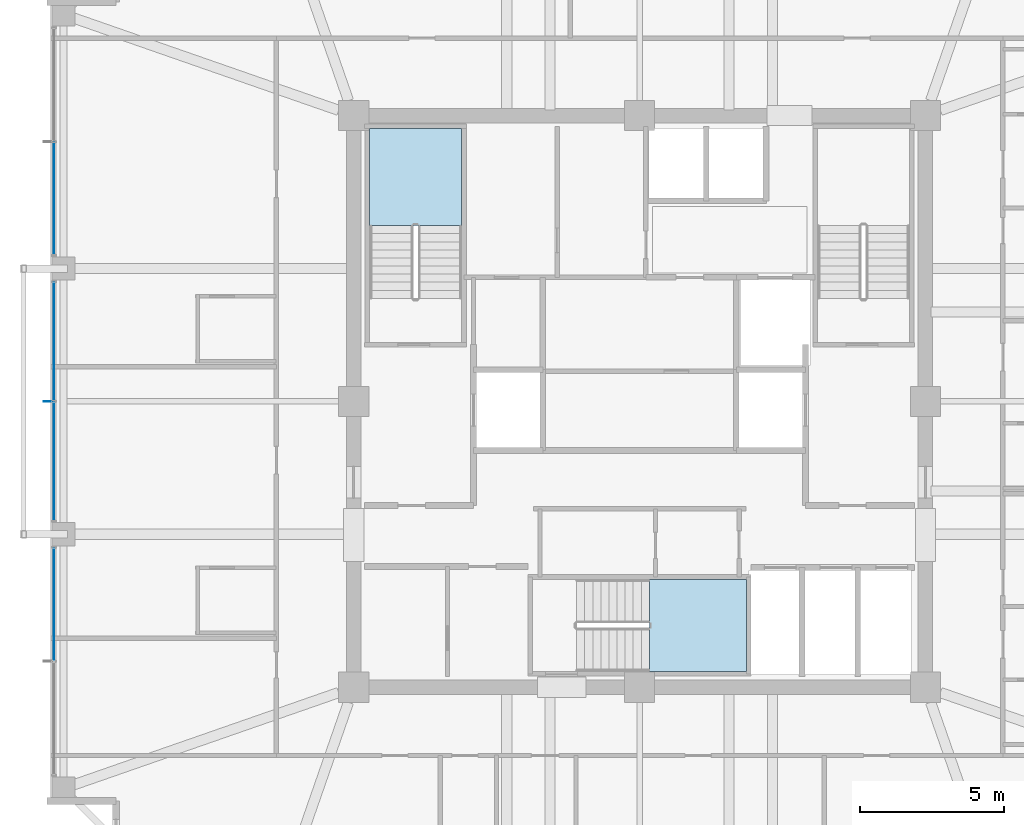
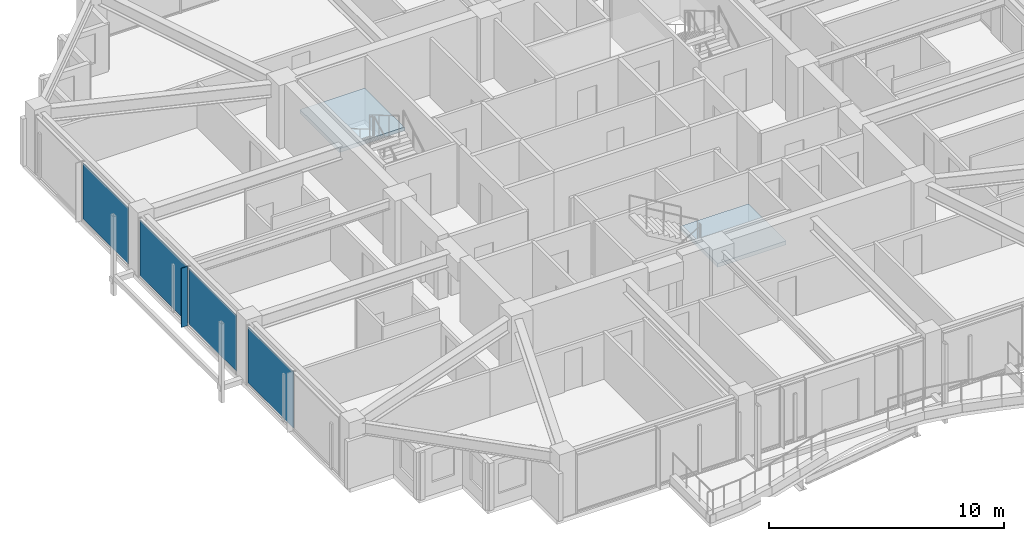
# One storey, part 27 of 38: 5 plates, 2 slabs, 5 elements without a shape of their own.
"""IFC4 building model written with IfcOpenShell, lengths in metres."""

import ifcopenshell
import ifcopenshell.guid

model = None  # the IFC model being written
_history = None  # IfcOwnerHistory: only IFC2X3 demands one
_inside = {}  # id of a spatial element -> (the spatial element, [elements in it])
_under = {}  # id of a project, library or spatial element -> (it, [spatial elements below it])
_declared = {}  # id of a project -> (the project, [libraries it declares])
_typed = {}  # id of a type object -> (the type object, [elements of that type])
_made_of = {}  # id of a material, layer set ... -> (it, [elements and type objects made of it])


def new_model(schema):
    """Start an empty IFC model of exactly this schema.

    Asked for "IFC4X3", IfcOpenShell would pick the latest addendum, in which some entities
    have other attributes; the version numbers below select the first issue.
    IFC2X3 requires an IfcOwnerHistory on every rooted entity: one is made here for all.
    """
    global model, _history
    if schema == "IFC4X3":
        model = ifcopenshell.file(schema_version=(4, 3, 0, 0))
    else:
        model = ifcopenshell.file(schema=schema)
    _inside.clear()
    _under.clear()
    _declared.clear()
    _typed.clear()
    _made_of.clear()
    _history = None
    if model.schema == "IFC2X3":
        org = make("IfcOrganization", Name="unknown")
        user = make(
            "IfcPersonAndOrganization",
            ThePerson=make("IfcPerson", FamilyName="unknown"),
            TheOrganization=org,
        )
        app = make(
            "IfcApplication",
            ApplicationDeveloper=org,
            Version="unknown",
            ApplicationFullName="unknown",
            ApplicationIdentifier="unknown",
        )
        _history = make(
            "IfcOwnerHistory",
            OwningUser=user,
            OwningApplication=app,
            ChangeAction="ADDED",
            CreationDate=0,
        )
    return model


def make(cls, **values):
    """One entity of the class cls with the attributes given. An attribute that is None is left unset."""
    return model.create_entity(
        cls, **{name: value for name, value in values.items() if value is not None}
    )


def rooted(cls, **values):
    """An entity with a GlobalId (a new one), such as an element, a storey or a relation."""
    return make(cls, GlobalId=ifcopenshell.guid.new(), OwnerHistory=_history, **values)


def si_unit(unit_type, name, prefix=None):
    """IfcSIUnit, for example si_unit("LENGTHUNIT", "METRE", prefix="MILLI")."""
    return make("IfcSIUnit", UnitType=unit_type, Prefix=prefix, Name=name)


def assignment(units):
    """IfcUnitAssignment: the units of a project."""
    return None if units is None else make("IfcUnitAssignment", Units=units)


def point(xyz):
    """IfcCartesianPoint."""
    return None if xyz is None else make("IfcCartesianPoint", Coordinates=xyz)


def direction(xyz):
    """IfcDirection."""
    return None if xyz is None else make("IfcDirection", DirectionRatios=xyz)


def frame(location, z_axis=None, x_axis=None):
    """IfcAxis2Placement3D, a coordinate frame: its origin and axes. An axis left out is left unset."""
    return make(
        "IfcAxis2Placement3D",
        Location=point(location),
        Axis=direction(z_axis),
        RefDirection=direction(x_axis),
    )


def frame_2d(location, x_axis=None):
    """IfcAxis2Placement2D, a coordinate frame in the plane: its origin and x axis."""
    return make(
        "IfcAxis2Placement2D", Location=point(location), RefDirection=direction(x_axis)
    )


def origin():
    """The frame at (0, 0, 0) with its axes left unset."""
    return frame((0.0, 0.0, 0.0))


def origin_2d():
    """The frame at (0, 0) in the plane with its x axis left unset."""
    return frame_2d((0.0, 0.0))


def place(relative_to, where):
    """IfcLocalPlacement: puts the frame where relative to a parent placement (None: the world)."""
    return make(
        "IfcLocalPlacement", PlacementRelTo=relative_to, RelativePlacement=where
    )


def context(
    kind, dimensions, precision=None, world=None, true_north=None, identifier=None
):
    """IfcGeometricRepresentationContext, for example the 3D "Model" context."""
    return make(
        "IfcGeometricRepresentationContext",
        ContextIdentifier=identifier,
        ContextType=kind,
        CoordinateSpaceDimension=dimensions,
        Precision=precision,
        WorldCoordinateSystem=world,
        TrueNorth=true_north,
    )


def subcontext(parent, identifier, kind, view, scale=None):
    """IfcGeometricRepresentationSubContext, for example "Body" below "Model"."""
    return make(
        "IfcGeometricRepresentationSubContext",
        ContextIdentifier=identifier,
        ContextType=kind,
        ParentContext=parent,
        TargetScale=scale,
        TargetView=view,
    )


def project(units=None, contexts=None):
    """IfcProject with its units and contexts."""
    return rooted(
        "IfcProject",
        Name="project",
        RepresentationContexts=contexts,
        UnitsInContext=assignment(units),
    )


def spatial(cls, under=None, at=None, **own):
    """A site, building, storey or space (cls), placed at a placement, below another one or the project."""
    s = rooted(cls, ObjectPlacement=at, **own)
    if under is not None:
        _under.setdefault(under.id(), (under, []))[1].append(s)
    return s


def polyline(points):
    """IfcPolyline through the points."""
    return make("IfcPolyline", Points=[point(p) for p in points])


def profile(cls, at=None, kind="AREA", **sizes):
    """A parametric profile (cls). Its sizes go by their IFC names, for example OverallWidth=200.0."""
    return make(cls, ProfileType=kind, Position=at, **sizes)


def rectangle(**sizes):
    """IfcRectangleProfileDef."""
    return profile("IfcRectangleProfileDef", **sizes)


def outline(outer, holes=None, kind="AREA"):
    """IfcArbitraryClosedProfileDef: a profile drawn as a closed curve; with holes, ...WithVoids."""
    if holes is None:
        return make("IfcArbitraryClosedProfileDef", ProfileType=kind, OuterCurve=outer)
    return make(
        "IfcArbitraryProfileDefWithVoids",
        ProfileType=kind,
        OuterCurve=outer,
        InnerCurves=holes,
    )


def extrude(swept, where, along, depth):
    """IfcExtrudedAreaSolid: the profile swept, set in the frame where, extruded along a direction by depth."""
    return make(
        "IfcExtrudedAreaSolid",
        SweptArea=swept,
        Position=where,
        ExtrudedDirection=direction(along),
        Depth=depth,
    )


def shape(context_of_items, identifier, shape_type, items):
    """IfcShapeRepresentation: the items that make up one representation, for example the "Body"."""
    return make(
        "IfcShapeRepresentation",
        ContextOfItems=context_of_items,
        RepresentationIdentifier=identifier,
        RepresentationType=shape_type,
        Items=items,
    )


def material(Name=None, Category=None):
    """IfcMaterial."""
    return make("IfcMaterial", Name=Name, Category=Category)


def layer(
    of_material, thickness, ventilated=None, Name=None, Category=None, Priority=None
):
    """IfcMaterialLayer: one layer of a wall or slab, of a material (None: an air gap)."""
    return make(
        "IfcMaterialLayer",
        Material=of_material,
        LayerThickness=thickness,
        IsVentilated=ventilated,
        Name=Name,
        Category=Category,
        Priority=Priority,
    )


def layer_set(layers, Name=None):
    """IfcMaterialLayerSet."""
    return make("IfcMaterialLayerSet", MaterialLayers=layers, LayerSetName=Name)


def made_of(thing, what):
    """Note that an element or type object is made of a material, layer set ...; save() writes the relation."""
    if what is not None:
        _made_of.setdefault(what.id(), (what, []))[1].append(thing)
    return thing


def type_object(cls, material=None, **own):
    """A type object (cls), such as IfcWallType, which elements share."""
    return made_of(rooted(cls, **own), material)


def element(
    cls,
    number,
    at=None,
    inside=None,
    cuts=None,
    type_object=None,
    material=None,
    context=None,
    identifier="Body",
    shape_type=None,
    held_by="IfcProductDefinitionShape",
    body=None,
    shapes=None,
    **own,
):
    """One element of the class cls, such as IfcWall. Its Tag is "e" and its number.

    at: its placement. inside: the storey or other place that contains it. cuts: it is an
    opening in that element (IfcRelVoidsElement). A single representation is given by context,
    identifier, shape_type and body (its items); several are given by shapes. held_by: the class
    of the entity that holds the representations. save() writes the other relations.
    """
    e = rooted(cls, Tag="e%d" % number, ObjectPlacement=at, **own)
    if body is not None:
        shapes = [shape(context, identifier, shape_type, body)]
    if shapes is not None:
        e.Representation = make(held_by, Representations=shapes)
    if inside is not None:
        _inside.setdefault(inside.id(), (inside, []))[1].append(e)
    if cuts is not None:
        rooted(
            "IfcRelVoidsElement", RelatingBuildingElement=cuts, RelatedOpeningElement=e
        )
    if type_object is not None:
        _typed.setdefault(type_object.id(), (type_object, []))[1].append(e)
    return made_of(e, material)


def aggregate(whole, parts):
    """IfcRelAggregates: a whole, such as a stair, and the parts it consists of."""
    return rooted("IfcRelAggregates", RelatingObject=whole, RelatedObjects=parts)


def save(model, path):
    """Write the relations noted so far, then the file.

    IfcRelAggregates (storeys below a building ...), IfcRelContainedInSpatialStructure (elements
    in a storey), IfcRelDefinesByType, IfcRelAssociatesMaterial and IfcRelDeclares: one each for
    every whole, place, type object, material and project.
    """
    for whole, parts in _under.values():
        aggregate(whole, parts)
    for where, things in _inside.values():
        rooted(
            "IfcRelContainedInSpatialStructure",
            RelatedElements=things,
            RelatingStructure=where,
        )
    for kind, things in _typed.values():
        rooted("IfcRelDefinesByType", RelatedObjects=things, RelatingType=kind)
    for what, things in _made_of.values():
        rooted("IfcRelAssociatesMaterial", RelatedObjects=things, RelatingMaterial=what)
    for by, libraries in _declared.values():
        rooted("IfcRelDeclares", RelatingContext=by, RelatedDefinitions=libraries)
    model.write(path)


model = new_model("IFC4")

# Units and contexts
model_context = context("Model", 3, precision=1e-05, world=origin(), true_north=direction((0.0, 1.0)))
body_context = subcontext(model_context, "Body", "Model", "MODEL_VIEW")
ifc_project = project(units=[si_unit("LENGTHUNIT", "METRE"), si_unit("AREAUNIT", "SQUARE_METRE"), si_unit("VOLUMEUNIT", "CUBIC_METRE"), si_unit("PLANEANGLEUNIT", "RADIAN"), si_unit("MASSUNIT", "GRAM", prefix="KILO")], contexts=[model_context])

# Site, building, storey
site_placement = place(None, origin())
site = spatial("IfcSite", under=ifc_project, at=site_placement, CompositionType="ELEMENT")
building_placement = place(site_placement, origin())
building = spatial("IfcBuilding", under=site, at=building_placement, Name="Kolvaren Belvedere", CompositionType="ELEMENT")
storey_placement = place(building_placement, frame((0.0, 0.0, 206.39990234375)))
storey = spatial("IfcBuildingStorey", under=building, at=storey_placement, Name="L60", CompositionType="ELEMENT", Elevation=206.39990234375)

# Curtain wall, plate
ifc_material_1 = material(Name="Anodised pale-metal aluminium AA 6063-T6", Category="aluminium")
curtain_wall_type = type_object("IfcCurtainWallType", Name="CW-Z5-HIGH", PredefinedType="NOTDEFINED", material=ifc_material_1)
curtain_wall_1_placement = place(storey_placement, origin())
curtain_wall_1 = element("IfcCurtainWall", 1, at=curtain_wall_1_placement, inside=storey, type_object=curtain_wall_type, Name="L60 Unitised Curtain Wall FCW-L60-W-B1", PredefinedType="NOTDEFINED")
ifc_material_2 = material(Name="Low-iron triple insulated glass", Category="glass")
ifc_layer_1 = layer(ifc_material_2, 0.028076171875)
ifc_layer_set_1 = layer_set([ifc_layer_1], Name="Low-iron triple insulated glass")
plate_type_1 = type_object("IfcPlateType", Name="CW-PNL-VIS28", PredefinedType="CURTAIN_PANEL", material=ifc_layer_set_1)
plate_1_placement = place(storey_placement, frame((-20.280029296875, -7.027587890625, 0.080078125), z_axis=(0.0, 0.0, 1.0), x_axis=(0.0, 1.0, 0.0)))
plate_1 = element("IfcPlate", 2, at=plate_1_placement, type_object=plate_type_1, Name="FCW-L60-W-B1 Vision Glazing Panel 2", PredefinedType="CURTAIN_PANEL", context=body_context, shape_type="SweptSolid", body=[
    extrude(rectangle(XDim=3.864990234375, YDim=0.028076171875, at=origin_2d()), origin(), (0.0, 0.0, 1.0), 2.919921875),
])
aggregate(curtain_wall_1, [plate_1])

# Curtain wall, plates
curtain_wall_2_placement = place(storey_placement, origin())
curtain_wall_2 = element("IfcCurtainWall", 3, at=curtain_wall_2_placement, inside=storey, type_object=curtain_wall_type, Name="L60 Unitised Curtain Wall FCW-L60-W-B2", PredefinedType="NOTDEFINED")
plate_2_placement = place(storey_placement, frame((-20.280029296875, -2.072509765625, 0.080078125), z_axis=(0.0, 0.0, 1.0), x_axis=(0.0, 1.0, 0.0)))
plate_2 = element("IfcPlate", 4, at=plate_2_placement, type_object=plate_type_1, Name="FCW-L60-W-B2 Vision Glazing Panel 1", PredefinedType="CURTAIN_PANEL", context=body_context, shape_type="SweptSolid", body=[
    extrude(rectangle(XDim=4.06494140625, YDim=0.028076171875, at=origin_2d()), origin(), (0.0, 0.0, 1.0), 2.919921875),
])
plate_3_placement = place(storey_placement, frame((-20.280029296875, 2.072509765625, 0.080078125), z_axis=(0.0, 0.0, 1.0), x_axis=(0.0, 1.0, 0.0)))
plate_3 = element("IfcPlate", 5, at=plate_3_placement, type_object=plate_type_1, Name="FCW-L60-W-B2 Vision Glazing Panel 2", PredefinedType="CURTAIN_PANEL", context=body_context, shape_type="SweptSolid", body=[
    extrude(rectangle(XDim=4.06494140625, YDim=0.028076171875, at=origin_2d()), origin(), (0.0, 0.0, 1.0), 2.919921875),
])
aggregate(curtain_wall_2, [plate_2, plate_3])

# Curtain wall, plate
curtain_wall_3_placement = place(storey_placement, origin())
curtain_wall_3 = element("IfcCurtainWall", 6, at=curtain_wall_3_placement, inside=storey, type_object=curtain_wall_type, Name="L60 Unitised Curtain Wall FCW-L60-W-B3", PredefinedType="NOTDEFINED")
plate_4_placement = place(storey_placement, frame((-20.280029296875, 7.027587890625, 0.080078125), z_axis=(0.0, 0.0, 1.0), x_axis=(0.0, 1.0, 0.0)))
plate_4 = element("IfcPlate", 7, at=plate_4_placement, type_object=plate_type_1, Name="FCW-L60-W-B3 Vision Glazing Panel 1", PredefinedType="CURTAIN_PANEL", context=body_context, shape_type="SweptSolid", body=[
    extrude(rectangle(XDim=3.864990234375, YDim=0.028076171875, at=origin_2d()), origin(), (0.0, 0.0, 1.0), 2.919921875),
])
aggregate(curtain_wall_3, [plate_4])

# Plate
ifc_material_3 = material(Name="Anodised pale-metal aluminium AA 6063-T6", Category="aluminium")
ifc_layer_2 = layer(ifc_material_3, 0.030029296875)
ifc_layer_set_2 = layer_set([ifc_layer_2], Name="Anodised pale-metal aluminium AA 6063-T6")
plate_type_2 = type_object("IfcPlateType", Name="FIN-VERT-300", PredefinedType="USERDEFINED", material=ifc_layer_set_2)
plate_5_placement = place(storey_placement, frame((-20.489990234375, 0.0, 0.0), z_axis=(0.0, 0.0, 1.0), x_axis=(1.0, 0.0, 0.0)))
element("IfcPlate", 8, at=plate_5_placement, inside=storey, type_object=plate_type_2, Name="L60 Pale-Metal Vertical Shading Fin FCW-L60-W-B2-1", ObjectType="VERTICAL FIN", PredefinedType="USERDEFINED", context=body_context, shape_type="SweptSolid", body=[
    extrude(rectangle(XDim=0.300048828125, YDim=0.030029296875, at=origin_2d()), origin(), (0.0, 0.0, 1.0), 3.080078125),
])

# Stair, slab
ifc_material_4 = material(Name="Concrete C50/60", Category="concrete")
stair_type = type_object("IfcStairType", Name="ST-CORE-1520", PredefinedType="HALF_TURN_STAIR", material=ifc_material_4)
stair_1_placement = place(storey_placement, origin())
stair_1 = element("IfcStair", 9, at=stair_1_placement, inside=storey, type_object=stair_type, Name="L60 Protected Exit Stair ST-1", PredefinedType="HALF_TURN_STAIR")
ifc_material_5 = material(Name="Concrete C50/60", Category="concrete")
ifc_layer_3 = layer(ifc_material_5, 0.260009765625)
ifc_layer_set_3 = layer_set([ifc_layer_3], Name="Concrete C50/60")
slab_type = type_object("IfcSlabType", Name="SL-LAND-260", PredefinedType="LANDING", material=ifc_layer_set_3)
slab_1_placement = place(storey_placement, frame((0.0, 0.0, 1.4501953125)))
slab_1 = element("IfcSlab", 10, at=slab_1_placement, type_object=slab_type, Name="ST-1 landing 1", PredefinedType="LANDING", context=body_context, shape_type="SweptSolid", body=[
    extrude(outline(polyline([(-6.159912109375, 6.090087890625), (-6.159912109375, 9.449951171875), (-9.35009765625, 9.449951171875), (-9.35009765625, 6.090087890625), (-6.159912109375, 6.090087890625)])), origin(), (0.0, 0.0, 1.0), 0.199951171875),
])
aggregate(stair_1, [slab_1])

stair_2_placement = place(storey_placement, origin())
stair_2 = element("IfcStair", 11, at=stair_2_placement, inside=storey, type_object=stair_type, Name="L60 Protected Exit Stair ST-3", PredefinedType="HALF_TURN_STAIR")
slab_2_placement = place(storey_placement, frame((0.0, 0.0, 1.4501953125)))
slab_2 = element("IfcSlab", 12, at=slab_2_placement, type_object=slab_type, Name="ST-3 landing 1", PredefinedType="LANDING", context=body_context, shape_type="SweptSolid", body=[
    extrude(outline(polyline([(0.340087890625, -9.35009765625), (3.699951171875, -9.35009765625), (3.699951171875, -6.159912109375), (0.340087890625, -6.159912109375), (0.340087890625, -9.35009765625)])), origin(), (0.0, 0.0, 1.0), 0.199951171875),
])
aggregate(stair_2, [slab_2])

save(model, "model.ifc")
